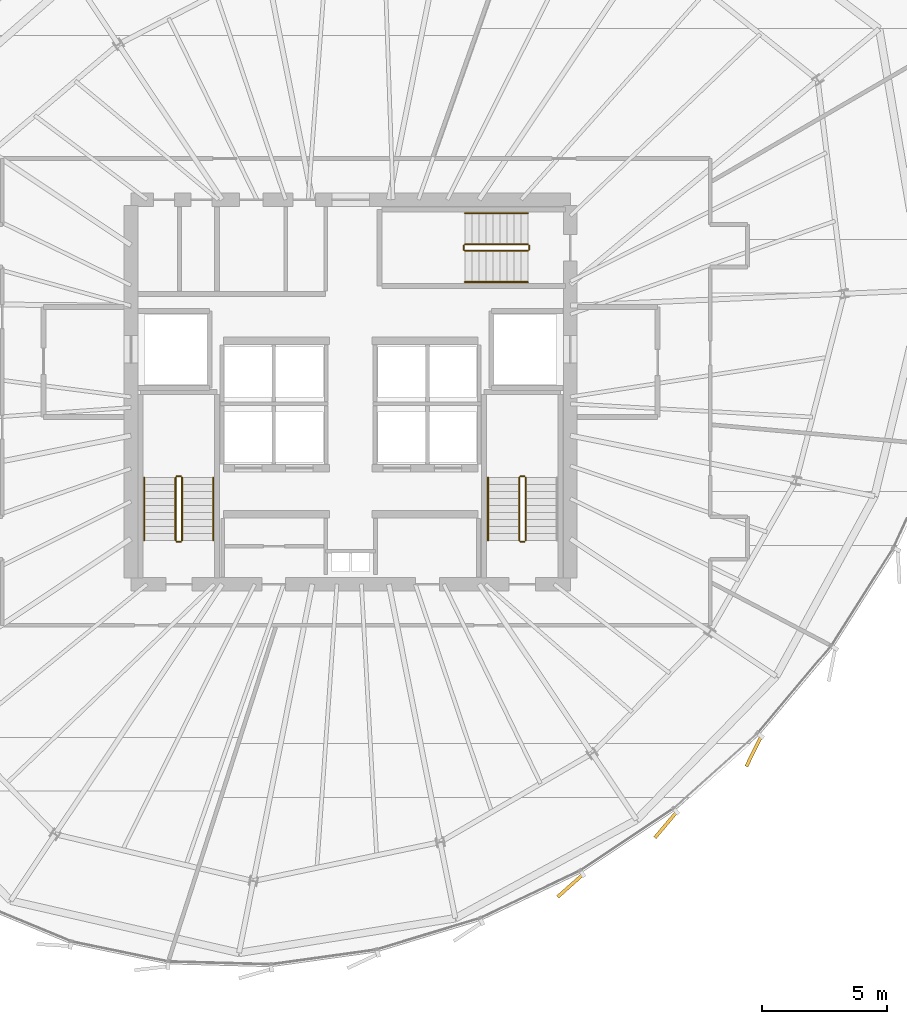
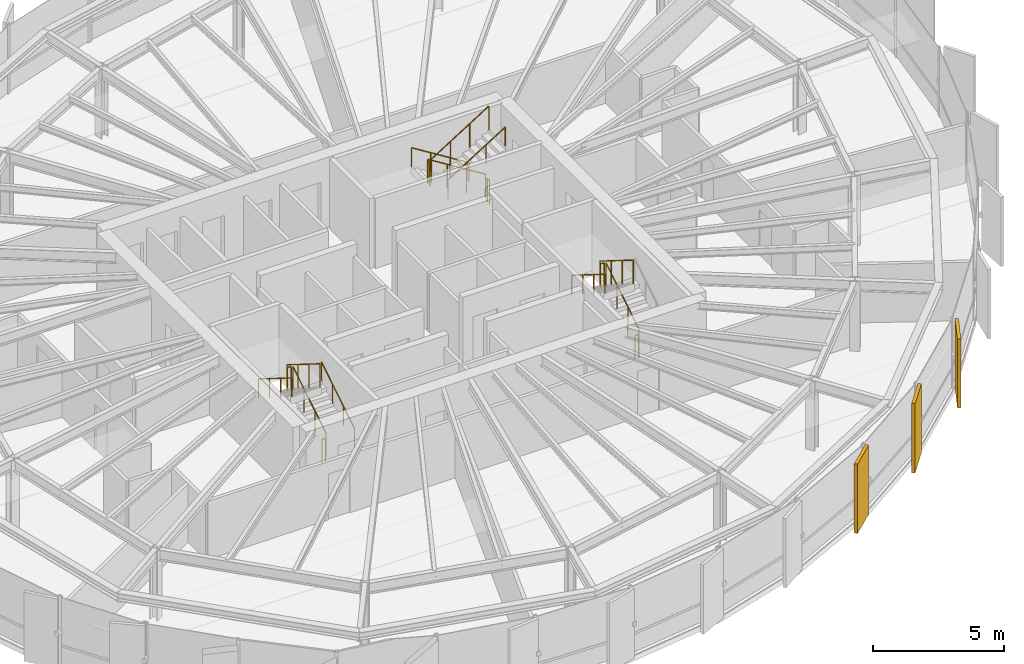
# One storey, part 33 of 34: 17 railings, 3 coverings.
"""IFC4 building model written with IfcOpenShell, lengths in metres."""

from ifc_helpers import new_model, si_unit, direction, frame, origin, origin_2d, place, context, subcontext, project, spatial, rectangle, circle, extrude, source, transform, mapped, material, layer, layer_set, type_object, element, save


model = new_model("IFC4")

# Units and contexts
model_context = context("Model", 3, precision=1e-05, world=origin(), true_north=direction((0.0, 1.0)))
body_context = subcontext(model_context, "Body", "Model", "MODEL_VIEW")
ifc_project = project(units=[si_unit("LENGTHUNIT", "METRE"), si_unit("AREAUNIT", "SQUARE_METRE"), si_unit("VOLUMEUNIT", "CUBIC_METRE"), si_unit("PLANEANGLEUNIT", "RADIAN"), si_unit("MASSUNIT", "GRAM", prefix="KILO"), si_unit("THERMODYNAMICTEMPERATUREUNIT", "KELVIN")], contexts=[model_context])

# Site, building, storey
site_placement = place(None, origin())
site = spatial("IfcSite", under=ifc_project, at=site_placement, CompositionType="ELEMENT")
building_placement = place(site_placement, origin())
building = spatial("IfcBuilding", under=site, at=building_placement, Name="Kethvar Cultural Tower", CompositionType="ELEMENT")
storey_placement = place(building_placement, frame((0.0, 0.0, 186.89990234375)))
storey = spatial("IfcBuildingStorey", under=building, at=storey_placement, Name="L48", CompositionType="ELEMENT", Elevation=186.89990234375)

# Railings
ifc_material_1 = material(Name="Steel S355J2", Category="steel")
railing_type_1 = type_object("IfcRailingType", Name="RL-STAIR-GUARD", PredefinedType="BALUSTRADE", material=ifc_material_1)
railing_1_placement = place(storey_placement, frame((40.050048828125, 21.85009765625, 0.175048828125)))
element("IfcRailing", 1, at=railing_1_placement, inside=storey, type_object=railing_type_1, Name="L48 ST-01 stair guard 1", PredefinedType="BALUSTRADE", context=body_context, shape_type="SweptSolid", body=[
    extrude(circle(Radius=0.02392578125, at=origin_2d()), frame((0.0, 0.0, 1.09619140625), z_axis=(0.0, 0.848007534815, 0.529984170421), x_axis=(-1.0, 0.0, 0.0)), (0.0, 0.0, 1.0), 2.9716796875),
    extrude(circle(Radius=0.02099609375, at=origin_2d()), origin(), (0.0, 0.0, 1.0), 1.072021484375),
    extrude(circle(Radius=0.02099609375, at=origin_2d()), frame((0.0, 0.840087890625, 0.52490234375)), (0.0, 0.0, 1.0), 1.072021484375),
    extrude(circle(Radius=0.02099609375, at=origin_2d()), frame((0.0, 1.679931640625, 1.050048828125)), (0.0, 0.0, 1.0), 1.072021484375),
    extrude(circle(Radius=0.02099609375, at=origin_2d()), frame((0.0, 2.52001953125, 1.574951171875)), (0.0, 0.0, 1.0), 1.072021484375),
])
railing_2_placement = place(storey_placement, frame((40.0, 24.419921875, 1.75)))
element("IfcRailing", 2, at=railing_2_placement, inside=storey, type_object=railing_type_1, Name="L48 ST-01 stair guard 2", PredefinedType="BALUSTRADE", context=body_context, shape_type="SweptSolid", body=[
    extrude(circle(Radius=0.02392578125, at=origin_2d()), frame((0.0, 0.0, 1.09619140625), z_axis=(-1.0, 0.0, 0.0), x_axis=(0.0, -1.0, 0.0)), (0.0, 0.0, 1.0), 0.159912109375),
    extrude(circle(Radius=0.02099609375, at=origin_2d()), origin(), (0.0, 0.0, 1.0), 1.072021484375),
    extrude(circle(Radius=0.02099609375, at=origin_2d()), frame((-0.159912109375, 0.0, 0.0)), (0.0, 0.0, 1.0), 1.072021484375),
])
railing_3_placement = place(storey_placement, frame((39.7900390625, 24.3701171875, 1.925048828125)))
element("IfcRailing", 3, at=railing_3_placement, inside=storey, type_object=railing_type_1, Name="L48 ST-01 stair guard 3", PredefinedType="BALUSTRADE", context=body_context, shape_type="SweptSolid", body=[
    extrude(circle(Radius=0.02392578125, at=origin_2d()), frame((0.0, 0.0, 1.09619140625), z_axis=(0.0, -0.848007534815, 0.529984170421), x_axis=(1.0, 0.0, 0.0)), (0.0, 0.0, 1.0), 2.9716796875),
    extrude(circle(Radius=0.02099609375, at=origin_2d()), origin(), (0.0, 0.0, 1.0), 1.072021484375),
    extrude(circle(Radius=0.02099609375, at=origin_2d()), frame((0.0, -0.840087890625, 0.52490234375)), (0.0, 0.0, 1.0), 1.072021484375),
    extrude(circle(Radius=0.02099609375, at=origin_2d()), frame((0.0, -1.679931640625, 1.050048828125)), (0.0, 0.0, 1.0), 1.072021484375),
    extrude(circle(Radius=0.02099609375, at=origin_2d()), frame((0.0, -2.52001953125, 1.574951171875)), (0.0, 0.0, 1.0), 1.072021484375),
])
railing_4_placement = place(storey_placement, frame((40.0, 21.800048828125, 0.0)))
element("IfcRailing", 4, at=railing_4_placement, inside=storey, type_object=railing_type_1, Name="L48 ST-01 stair guard 4", PredefinedType="BALUSTRADE", context=body_context, shape_type="SweptSolid", body=[
    extrude(circle(Radius=0.02392578125, at=origin_2d()), frame((0.0, 0.0, 1.09619140625), z_axis=(-1.0, 0.0, 0.0), x_axis=(0.0, -1.0, 0.0)), (0.0, 0.0, 1.0), 0.159912109375),
    extrude(circle(Radius=0.02099609375, at=origin_2d()), origin(), (0.0, 0.0, 1.0), 1.072021484375),
    extrude(circle(Radius=0.02099609375, at=origin_2d()), frame((-0.159912109375, 0.0, 0.0)), (0.0, 0.0, 1.0), 1.072021484375),
])
railing_5_placement = place(storey_placement, frame((53.81005859375, 21.85009765625, 0.175048828125)))
element("IfcRailing", 5, at=railing_5_placement, inside=storey, type_object=railing_type_1, Name="L48 ST-02 stair guard 1", PredefinedType="BALUSTRADE", context=body_context, shape_type="SweptSolid", body=[
    extrude(circle(Radius=0.02392578125, at=origin_2d()), frame((0.0, 0.0, 1.09619140625), z_axis=(0.0, 0.848007534815, 0.529984170421), x_axis=(-1.0, 0.0, 0.0)), (0.0, 0.0, 1.0), 2.9716796875),
    extrude(circle(Radius=0.02099609375, at=origin_2d()), origin(), (0.0, 0.0, 1.0), 1.072021484375),
    extrude(circle(Radius=0.02099609375, at=origin_2d()), frame((0.0, 0.840087890625, 0.52490234375)), (0.0, 0.0, 1.0), 1.072021484375),
    extrude(circle(Radius=0.02099609375, at=origin_2d()), frame((0.0, 1.679931640625, 1.050048828125)), (0.0, 0.0, 1.0), 1.072021484375),
    extrude(circle(Radius=0.02099609375, at=origin_2d()), frame((0.0, 2.52001953125, 1.574951171875)), (0.0, 0.0, 1.0), 1.072021484375),
])
railing_6_placement = place(storey_placement, frame((53.760009765625, 24.419921875, 1.75)))
element("IfcRailing", 6, at=railing_6_placement, inside=storey, type_object=railing_type_1, Name="L48 ST-02 stair guard 2", PredefinedType="BALUSTRADE", context=body_context, shape_type="SweptSolid", body=[
    extrude(circle(Radius=0.02392578125, at=origin_2d()), frame((0.0, 0.0, 1.09619140625), z_axis=(-1.0, 0.0, 0.0), x_axis=(0.0, -1.0, 0.0)), (0.0, 0.0, 1.0), 0.159912109375),
    extrude(circle(Radius=0.02099609375, at=origin_2d()), origin(), (0.0, 0.0, 1.0), 1.072021484375),
    extrude(circle(Radius=0.02099609375, at=origin_2d()), frame((-0.159912109375, 0.0, 0.0)), (0.0, 0.0, 1.0), 1.072021484375),
])
railing_7_placement = place(storey_placement, frame((53.550048828125, 24.3701171875, 1.925048828125)))
element("IfcRailing", 7, at=railing_7_placement, inside=storey, type_object=railing_type_1, Name="L48 ST-02 stair guard 3", PredefinedType="BALUSTRADE", context=body_context, shape_type="SweptSolid", body=[
    extrude(circle(Radius=0.02392578125, at=origin_2d()), frame((0.0, 0.0, 1.09619140625), z_axis=(0.0, -0.848007534815, 0.529984170421), x_axis=(1.0, 0.0, 0.0)), (0.0, 0.0, 1.0), 2.9716796875),
    extrude(circle(Radius=0.02099609375, at=origin_2d()), origin(), (0.0, 0.0, 1.0), 1.072021484375),
    extrude(circle(Radius=0.02099609375, at=origin_2d()), frame((0.0, -0.840087890625, 0.52490234375)), (0.0, 0.0, 1.0), 1.072021484375),
    extrude(circle(Radius=0.02099609375, at=origin_2d()), frame((0.0, -1.679931640625, 1.050048828125)), (0.0, 0.0, 1.0), 1.072021484375),
    extrude(circle(Radius=0.02099609375, at=origin_2d()), frame((0.0, -2.52001953125, 1.574951171875)), (0.0, 0.0, 1.0), 1.072021484375),
])
railing_8_placement = place(storey_placement, frame((53.760009765625, 21.800048828125, 0.0)))
element("IfcRailing", 8, at=railing_8_placement, inside=storey, type_object=railing_type_1, Name="L48 ST-02 stair guard 4", PredefinedType="BALUSTRADE", context=body_context, shape_type="SweptSolid", body=[
    extrude(circle(Radius=0.02392578125, at=origin_2d()), frame((0.0, 0.0, 1.09619140625), z_axis=(-1.0, 0.0, 0.0), x_axis=(0.0, -1.0, 0.0)), (0.0, 0.0, 1.0), 0.159912109375),
    extrude(circle(Radius=0.02099609375, at=origin_2d()), origin(), (0.0, 0.0, 1.0), 1.072021484375),
    extrude(circle(Radius=0.02099609375, at=origin_2d()), frame((-0.159912109375, 0.0, 0.0)), (0.0, 0.0, 1.0), 1.072021484375),
])
railing_9_placement = place(storey_placement, frame((53.89990234375, 33.7099609375, 0.175048828125)))
element("IfcRailing", 9, at=railing_9_placement, inside=storey, type_object=railing_type_1, Name="L48 ST-03 stair guard 1", PredefinedType="BALUSTRADE", context=body_context, shape_type="SweptSolid", body=[
    extrude(circle(Radius=0.02392578125, at=origin_2d()), frame((0.0, 0.0, 1.09619140625), z_axis=(-0.848007534815, 0.0, 0.529984170421), x_axis=(0.0, -1.0, 0.0)), (0.0, 0.0, 1.0), 2.9716796875),
    extrude(circle(Radius=0.02099609375, at=origin_2d()), origin(), (0.0, 0.0, 1.0), 1.072021484375),
    extrude(circle(Radius=0.02099609375, at=origin_2d()), frame((-0.840087890625, 0.0, 0.52490234375)), (0.0, 0.0, 1.0), 1.072021484375),
    extrude(circle(Radius=0.02099609375, at=origin_2d()), frame((-1.679931640625, 0.0, 1.050048828125)), (0.0, 0.0, 1.0), 1.072021484375),
    extrude(circle(Radius=0.02099609375, at=origin_2d()), frame((-2.52001953125, 0.0, 1.574951171875)), (0.0, 0.0, 1.0), 1.072021484375),
])
railing_10_placement = place(storey_placement, frame((51.330078125, 33.659912109375, 1.75)))
element("IfcRailing", 10, at=railing_10_placement, inside=storey, type_object=railing_type_1, Name="L48 ST-03 stair guard 2", PredefinedType="BALUSTRADE", context=body_context, shape_type="SweptSolid", body=[
    extrude(circle(Radius=0.02392578125, at=origin_2d()), frame((0.0, 0.0, 1.09619140625), z_axis=(0.0, -1.0, 0.0), x_axis=(1.0, 0.0, 0.0)), (0.0, 0.0, 1.0), 0.159912109375),
    extrude(circle(Radius=0.02099609375, at=origin_2d()), origin(), (0.0, 0.0, 1.0), 1.072021484375),
    extrude(circle(Radius=0.02099609375, at=origin_2d()), frame((0.0, -0.159912109375, 0.0)), (0.0, 0.0, 1.0), 1.072021484375),
])
railing_11_placement = place(storey_placement, frame((51.3798828125, 33.449951171875, 1.925048828125)))
element("IfcRailing", 11, at=railing_11_placement, inside=storey, type_object=railing_type_1, Name="L48 ST-03 stair guard 3", PredefinedType="BALUSTRADE", context=body_context, shape_type="SweptSolid", body=[
    extrude(circle(Radius=0.02392578125, at=origin_2d()), frame((0.0, 0.0, 1.09619140625), z_axis=(0.848007534815, 0.0, 0.529984170421), x_axis=(0.0, 1.0, 0.0)), (0.0, 0.0, 1.0), 2.9716796875),
    extrude(circle(Radius=0.02099609375, at=origin_2d()), origin(), (0.0, 0.0, 1.0), 1.072021484375),
    extrude(circle(Radius=0.02099609375, at=origin_2d()), frame((0.840087890625, 0.0, 0.52490234375)), (0.0, 0.0, 1.0), 1.072021484375),
    extrude(circle(Radius=0.02099609375, at=origin_2d()), frame((1.679931640625, 0.0, 1.050048828125)), (0.0, 0.0, 1.0), 1.072021484375),
    extrude(circle(Radius=0.02099609375, at=origin_2d()), frame((2.52001953125, 0.0, 1.574951171875)), (0.0, 0.0, 1.0), 1.072021484375),
])
railing_12_placement = place(storey_placement, frame((53.949951171875, 33.659912109375, 0.0)))
element("IfcRailing", 12, at=railing_12_placement, inside=storey, type_object=railing_type_1, Name="L48 ST-03 stair guard 4", PredefinedType="BALUSTRADE", context=body_context, shape_type="SweptSolid", body=[
    extrude(circle(Radius=0.02392578125, at=origin_2d()), frame((0.0, 0.0, 1.09619140625), z_axis=(0.0, -1.0, 0.0), x_axis=(1.0, 0.0, 0.0)), (0.0, 0.0, 1.0), 0.159912109375),
    extrude(circle(Radius=0.02099609375, at=origin_2d()), origin(), (0.0, 0.0, 1.0), 1.072021484375),
    extrude(circle(Radius=0.02099609375, at=origin_2d()), frame((0.0, -0.159912109375, 0.0)), (0.0, 0.0, 1.0), 1.072021484375),
])
railing_type_2 = type_object("IfcRailingType", Name="RL-STAIR-HANDRAIL", PredefinedType="HANDRAIL", material=ifc_material_1)
railing_13_placement = place(storey_placement, frame((41.300048828125, 21.85009765625, 0.175048828125)))
element("IfcRailing", 13, at=railing_13_placement, inside=storey, type_object=railing_type_2, Name="L48 ST-01 stair handrail 1", PredefinedType="HANDRAIL", context=body_context, shape_type="SweptSolid", body=[
    extrude(circle(Radius=0.02392578125, at=origin_2d()), frame((0.0, 0.0, 0.8759765625), z_axis=(0.0, 0.848007534815, 0.529984170421), x_axis=(-1.0, 0.0, 0.0)), (0.0, 0.0, 1.0), 2.9716796875),
    extrude(circle(Radius=0.02099609375, at=origin_2d()), origin(), (0.0, 0.0, 1.0), 0.851806640625),
    extrude(circle(Radius=0.02099609375, at=origin_2d()), frame((0.0, 0.840087890625, 0.52490234375)), (0.0, 0.0, 1.0), 0.851806640625),
    extrude(circle(Radius=0.02099609375, at=origin_2d()), frame((0.0, 1.679931640625, 1.050048828125)), (0.0, 0.0, 1.0), 0.851806640625),
    extrude(circle(Radius=0.02099609375, at=origin_2d()), frame((0.0, 2.52001953125, 1.574951171875)), (0.0, 0.0, 1.0), 0.851806640625),
])
for number, where, name in (
    (14, (38.5400390625, 24.3701171875, 1.925048828125), "L48 ST-01 stair handrail 2"),
    (15, (52.300048828125, 24.3701171875, 1.925048828125), "L48 ST-02 stair handrail 2"),
):
    element("IfcRailing", number, at=place(storey_placement, frame(where)), inside=storey, type_object=railing_type_2, Name=name, PredefinedType="HANDRAIL", context=body_context, shape_type="SweptSolid", body=[
        extrude(circle(Radius=0.02392578125, at=origin_2d()), frame((0.0, 0.0, 0.8759765625), z_axis=(0.0, -0.848007534815, 0.529984170421), x_axis=(1.0, 0.0, 0.0)), (0.0, 0.0, 1.0), 2.9716796875),
        extrude(circle(Radius=0.02099609375, at=origin_2d()), origin(), (0.0, 0.0, 1.0), 0.851806640625),
        extrude(circle(Radius=0.02099609375, at=origin_2d()), frame((0.0, -0.840087890625, 0.52490234375)), (0.0, 0.0, 1.0), 0.851806640625),
        extrude(circle(Radius=0.02099609375, at=origin_2d()), frame((0.0, -1.679931640625, 1.050048828125)), (0.0, 0.0, 1.0), 0.851806640625),
        extrude(circle(Radius=0.02099609375, at=origin_2d()), frame((0.0, -2.52001953125, 1.574951171875)), (0.0, 0.0, 1.0), 0.851806640625),
    ])
railing_14_placement = place(storey_placement, frame((53.89990234375, 34.9599609375, 0.175048828125)))
element("IfcRailing", 16, at=railing_14_placement, inside=storey, type_object=railing_type_2, Name="L48 ST-03 stair handrail 1", PredefinedType="HANDRAIL", context=body_context, shape_type="SweptSolid", body=[
    extrude(circle(Radius=0.02392578125, at=origin_2d()), frame((0.0, 0.0, 0.8759765625), z_axis=(-0.848007534815, 0.0, 0.529984170421), x_axis=(0.0, -1.0, 0.0)), (0.0, 0.0, 1.0), 2.9716796875),
    extrude(circle(Radius=0.02099609375, at=origin_2d()), origin(), (0.0, 0.0, 1.0), 0.851806640625),
    extrude(circle(Radius=0.02099609375, at=origin_2d()), frame((-0.840087890625, 0.0, 0.52490234375)), (0.0, 0.0, 1.0), 0.851806640625),
    extrude(circle(Radius=0.02099609375, at=origin_2d()), frame((-1.679931640625, 0.0, 1.050048828125)), (0.0, 0.0, 1.0), 0.851806640625),
    extrude(circle(Radius=0.02099609375, at=origin_2d()), frame((-2.52001953125, 0.0, 1.574951171875)), (0.0, 0.0, 1.0), 0.851806640625),
])
railing_15_placement = place(storey_placement, frame((51.3798828125, 32.199951171875, 1.925048828125)))
element("IfcRailing", 17, at=railing_15_placement, inside=storey, type_object=railing_type_2, Name="L48 ST-03 stair handrail 2", PredefinedType="HANDRAIL", context=body_context, shape_type="SweptSolid", body=[
    extrude(circle(Radius=0.02392578125, at=origin_2d()), frame((0.0, 0.0, 0.8759765625), z_axis=(0.848007534815, 0.0, 0.529984170421), x_axis=(0.0, 1.0, 0.0)), (0.0, 0.0, 1.0), 2.9716796875),
    extrude(circle(Radius=0.02099609375, at=origin_2d()), origin(), (0.0, 0.0, 1.0), 0.851806640625),
    extrude(circle(Radius=0.02099609375, at=origin_2d()), frame((0.840087890625, 0.0, 0.52490234375)), (0.0, 0.0, 1.0), 0.851806640625),
    extrude(circle(Radius=0.02099609375, at=origin_2d()), frame((1.679931640625, 0.0, 1.050048828125)), (0.0, 0.0, 1.0), 0.851806640625),
    extrude(circle(Radius=0.02099609375, at=origin_2d()), frame((2.52001953125, 0.0, 1.574951171875)), (0.0, 0.0, 1.0), 0.851806640625),
])

# Coverings
ifc_material_2 = material(Name="Extruded Architectural Terracotta", Category="masonry")
ifc_layer = layer(ifc_material_2, 0.135009765625, Name="Extruded Architectural Terracotta", Category="masonry")
ifc_layer_set = layer_set([ifc_layer], Name="Extruded Architectural Terracotta (135 mm)")
covering_type = type_object("IfcCoveringType", Name="Terracotta Facade Fin FIN-03", PredefinedType="CLADDING", material=ifc_layer_set)
shared_shape = source(origin(), body_context, "Body", "SweptSolid", [
    extrude(rectangle(XDim=1.35009765625, YDim=0.135009765625, at=origin_2d()), origin(), (0.0, 0.0, 1.0), 3.219970703125),
])
for number, where, z_axis, x_axis, name in (
    (18, (55.595458984375, 8.0205078125, 0.02001953125), (0.0, 0.0, 1.0), (-0.746638182285, -0.665230354654, 0.0), "L48 Vertical Terracotta Fin 5.3"),
    (19, (59.422119140625, 10.460205078125, 0.02001953125), (0.0, 0.0, 1.0), (-0.644524053357, -0.764584033736, 0.0), "L48 Vertical Terracotta Fin 5.4"),
    (20, (62.9453125, 13.40576171875, 0.02001953125), (0.0, 0.0, 1.0), (-0.439782427776, -0.898104345953, 0.0), "L48 Vertical Terracotta Fin 5.5"),
):
    element("IfcCovering", number, at=place(storey_placement, frame(where, z_axis=z_axis, x_axis=x_axis)), inside=storey, type_object=covering_type, Name=name, PredefinedType="CLADDING", context=body_context, shape_type="MappedRepresentation", body=[
        mapped(shared_shape, transform((0.0, 0.0, 0.0), scale=1.0)),
    ])

save(model, "model.ifc")
